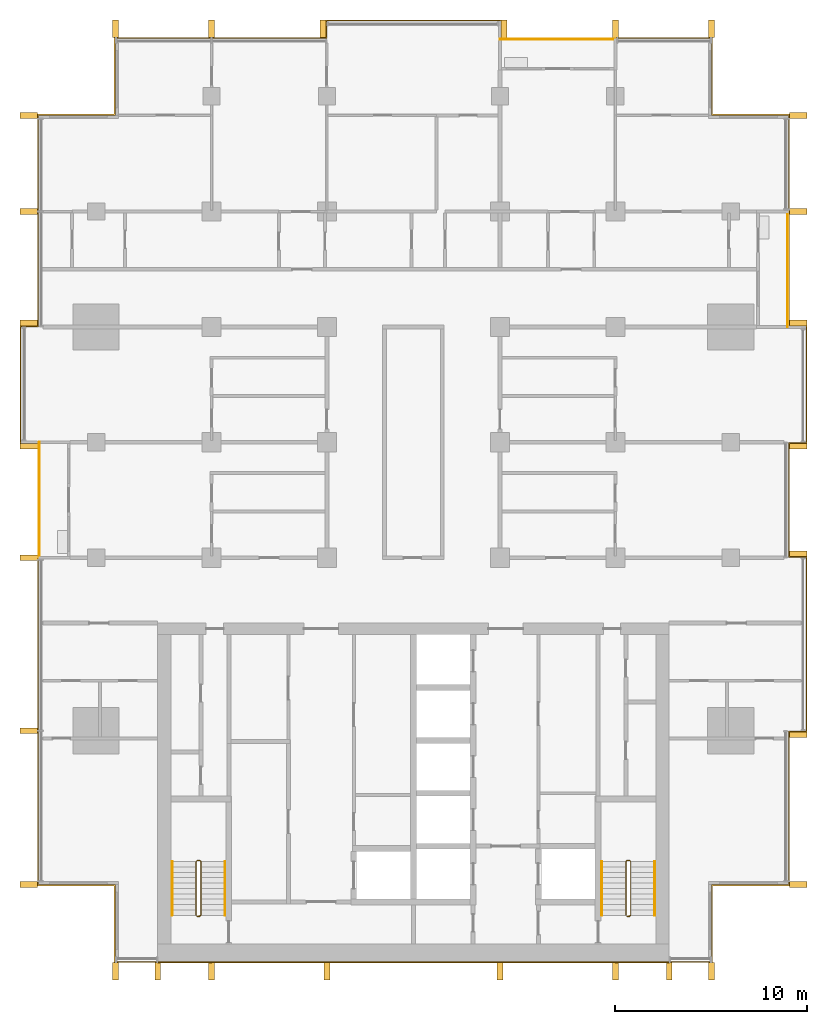
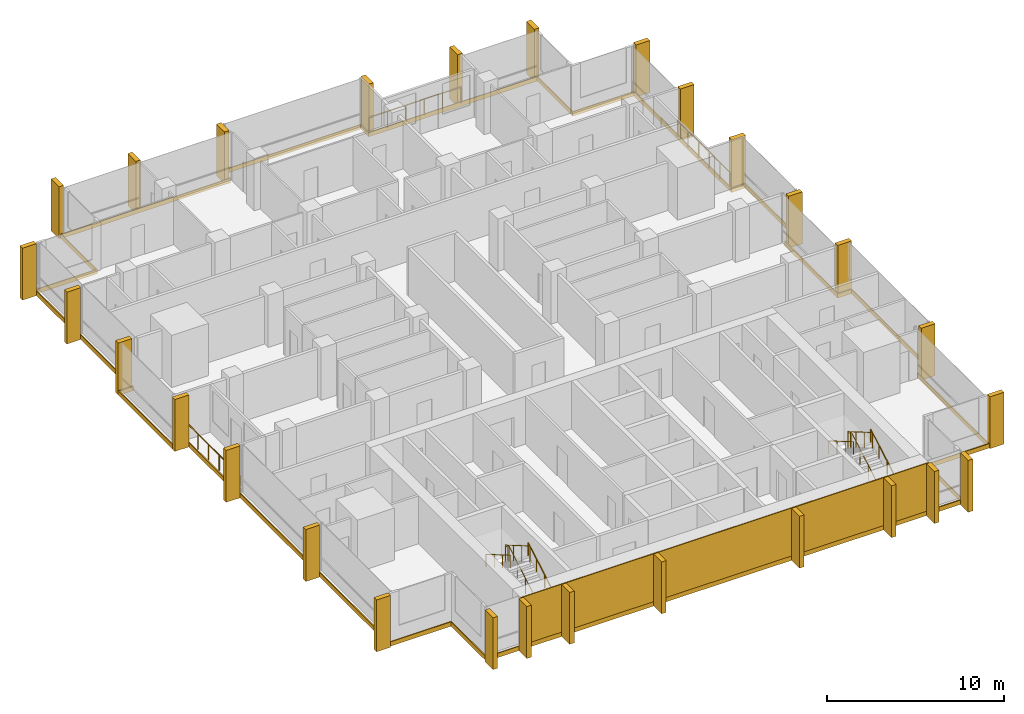
# One storey, part 16 of 16: 28 shading devices, 9 railings, 6 coverings.
"""IFC4 building model written with IfcOpenShell, lengths in metres."""

import ifcopenshell
import ifcopenshell.guid

model = None  # the IFC model being written
_history = None  # IfcOwnerHistory: only IFC2X3 demands one
_inside = {}  # id of a spatial element -> (the spatial element, [elements in it])
_under = {}  # id of a project, library or spatial element -> (it, [spatial elements below it])
_declared = {}  # id of a project -> (the project, [libraries it declares])
_typed = {}  # id of a type object -> (the type object, [elements of that type])
_made_of = {}  # id of a material, layer set ... -> (it, [elements and type objects made of it])


def new_model(schema):
    """Start an empty IFC model of exactly this schema.

    Asked for "IFC4X3", IfcOpenShell would pick the latest addendum, in which some entities
    have other attributes; the version numbers below select the first issue.
    IFC2X3 requires an IfcOwnerHistory on every rooted entity: one is made here for all.
    """
    global model, _history
    if schema == "IFC4X3":
        model = ifcopenshell.file(schema_version=(4, 3, 0, 0))
    else:
        model = ifcopenshell.file(schema=schema)
    _inside.clear()
    _under.clear()
    _declared.clear()
    _typed.clear()
    _made_of.clear()
    _history = None
    if model.schema == "IFC2X3":
        org = make("IfcOrganization", Name="unknown")
        user = make(
            "IfcPersonAndOrganization",
            ThePerson=make("IfcPerson", FamilyName="unknown"),
            TheOrganization=org,
        )
        app = make(
            "IfcApplication",
            ApplicationDeveloper=org,
            Version="unknown",
            ApplicationFullName="unknown",
            ApplicationIdentifier="unknown",
        )
        _history = make(
            "IfcOwnerHistory",
            OwningUser=user,
            OwningApplication=app,
            ChangeAction="ADDED",
            CreationDate=0,
        )
    return model


def make(cls, **values):
    """One entity of the class cls with the attributes given. An attribute that is None is left unset."""
    return model.create_entity(
        cls, **{name: value for name, value in values.items() if value is not None}
    )


def rooted(cls, **values):
    """An entity with a GlobalId (a new one), such as an element, a storey or a relation."""
    return make(cls, GlobalId=ifcopenshell.guid.new(), OwnerHistory=_history, **values)


def si_unit(unit_type, name, prefix=None):
    """IfcSIUnit, for example si_unit("LENGTHUNIT", "METRE", prefix="MILLI")."""
    return make("IfcSIUnit", UnitType=unit_type, Prefix=prefix, Name=name)


def assignment(units):
    """IfcUnitAssignment: the units of a project."""
    return None if units is None else make("IfcUnitAssignment", Units=units)


def point(xyz):
    """IfcCartesianPoint."""
    return None if xyz is None else make("IfcCartesianPoint", Coordinates=xyz)


def direction(xyz):
    """IfcDirection."""
    return None if xyz is None else make("IfcDirection", DirectionRatios=xyz)


def frame(location, z_axis=None, x_axis=None):
    """IfcAxis2Placement3D, a coordinate frame: its origin and axes. An axis left out is left unset."""
    return make(
        "IfcAxis2Placement3D",
        Location=point(location),
        Axis=direction(z_axis),
        RefDirection=direction(x_axis),
    )


def frame_2d(location, x_axis=None):
    """IfcAxis2Placement2D, a coordinate frame in the plane: its origin and x axis."""
    return make(
        "IfcAxis2Placement2D", Location=point(location), RefDirection=direction(x_axis)
    )


def origin():
    """The frame at (0, 0, 0) with its axes left unset."""
    return frame((0.0, 0.0, 0.0))


def origin_2d():
    """The frame at (0, 0) in the plane with its x axis left unset."""
    return frame_2d((0.0, 0.0))


def place(relative_to, where):
    """IfcLocalPlacement: puts the frame where relative to a parent placement (None: the world)."""
    return make(
        "IfcLocalPlacement", PlacementRelTo=relative_to, RelativePlacement=where
    )


def context(
    kind, dimensions, precision=None, world=None, true_north=None, identifier=None
):
    """IfcGeometricRepresentationContext, for example the 3D "Model" context."""
    return make(
        "IfcGeometricRepresentationContext",
        ContextIdentifier=identifier,
        ContextType=kind,
        CoordinateSpaceDimension=dimensions,
        Precision=precision,
        WorldCoordinateSystem=world,
        TrueNorth=true_north,
    )


def subcontext(parent, identifier, kind, view, scale=None):
    """IfcGeometricRepresentationSubContext, for example "Body" below "Model"."""
    return make(
        "IfcGeometricRepresentationSubContext",
        ContextIdentifier=identifier,
        ContextType=kind,
        ParentContext=parent,
        TargetScale=scale,
        TargetView=view,
    )


def project(units=None, contexts=None):
    """IfcProject with its units and contexts."""
    return rooted(
        "IfcProject",
        Name="project",
        RepresentationContexts=contexts,
        UnitsInContext=assignment(units),
    )


def spatial(cls, under=None, at=None, **own):
    """A site, building, storey or space (cls), placed at a placement, below another one or the project."""
    s = rooted(cls, ObjectPlacement=at, **own)
    if under is not None:
        _under.setdefault(under.id(), (under, []))[1].append(s)
    return s


def polyline(points):
    """IfcPolyline through the points."""
    return make("IfcPolyline", Points=[point(p) for p in points])


def profile(cls, at=None, kind="AREA", **sizes):
    """A parametric profile (cls). Its sizes go by their IFC names, for example OverallWidth=200.0."""
    return make(cls, ProfileType=kind, Position=at, **sizes)


def rectangle(**sizes):
    """IfcRectangleProfileDef."""
    return profile("IfcRectangleProfileDef", **sizes)


def circle(**sizes):
    """IfcCircleProfileDef."""
    return profile("IfcCircleProfileDef", **sizes)


def outline(outer, holes=None, kind="AREA"):
    """IfcArbitraryClosedProfileDef: a profile drawn as a closed curve; with holes, ...WithVoids."""
    if holes is None:
        return make("IfcArbitraryClosedProfileDef", ProfileType=kind, OuterCurve=outer)
    return make(
        "IfcArbitraryProfileDefWithVoids",
        ProfileType=kind,
        OuterCurve=outer,
        InnerCurves=holes,
    )


def extrude(swept, where, along, depth):
    """IfcExtrudedAreaSolid: the profile swept, set in the frame where, extruded along a direction by depth."""
    return make(
        "IfcExtrudedAreaSolid",
        SweptArea=swept,
        Position=where,
        ExtrudedDirection=direction(along),
        Depth=depth,
    )


def shape(context_of_items, identifier, shape_type, items):
    """IfcShapeRepresentation: the items that make up one representation, for example the "Body"."""
    return make(
        "IfcShapeRepresentation",
        ContextOfItems=context_of_items,
        RepresentationIdentifier=identifier,
        RepresentationType=shape_type,
        Items=items,
    )


def material(Name=None, Category=None):
    """IfcMaterial."""
    return make("IfcMaterial", Name=Name, Category=Category)


def layer(
    of_material, thickness, ventilated=None, Name=None, Category=None, Priority=None
):
    """IfcMaterialLayer: one layer of a wall or slab, of a material (None: an air gap)."""
    return make(
        "IfcMaterialLayer",
        Material=of_material,
        LayerThickness=thickness,
        IsVentilated=ventilated,
        Name=Name,
        Category=Category,
        Priority=Priority,
    )


def layer_set(layers, Name=None):
    """IfcMaterialLayerSet."""
    return make("IfcMaterialLayerSet", MaterialLayers=layers, LayerSetName=Name)


def made_of(thing, what):
    """Note that an element or type object is made of a material, layer set ...; save() writes the relation."""
    if what is not None:
        _made_of.setdefault(what.id(), (what, []))[1].append(thing)
    return thing


def type_object(cls, material=None, **own):
    """A type object (cls), such as IfcWallType, which elements share."""
    return made_of(rooted(cls, **own), material)


def element(
    cls,
    number,
    at=None,
    inside=None,
    cuts=None,
    type_object=None,
    material=None,
    context=None,
    identifier="Body",
    shape_type=None,
    held_by="IfcProductDefinitionShape",
    body=None,
    shapes=None,
    **own,
):
    """One element of the class cls, such as IfcWall. Its Tag is "e" and its number.

    at: its placement. inside: the storey or other place that contains it. cuts: it is an
    opening in that element (IfcRelVoidsElement). A single representation is given by context,
    identifier, shape_type and body (its items); several are given by shapes. held_by: the class
    of the entity that holds the representations. save() writes the other relations.
    """
    e = rooted(cls, Tag="e%d" % number, ObjectPlacement=at, **own)
    if body is not None:
        shapes = [shape(context, identifier, shape_type, body)]
    if shapes is not None:
        e.Representation = make(held_by, Representations=shapes)
    if inside is not None:
        _inside.setdefault(inside.id(), (inside, []))[1].append(e)
    if cuts is not None:
        rooted(
            "IfcRelVoidsElement", RelatingBuildingElement=cuts, RelatedOpeningElement=e
        )
    if type_object is not None:
        _typed.setdefault(type_object.id(), (type_object, []))[1].append(e)
    return made_of(e, material)


def aggregate(whole, parts):
    """IfcRelAggregates: a whole, such as a stair, and the parts it consists of."""
    return rooted("IfcRelAggregates", RelatingObject=whole, RelatedObjects=parts)


def save(model, path):
    """Write the relations noted so far, then the file.

    IfcRelAggregates (storeys below a building ...), IfcRelContainedInSpatialStructure (elements
    in a storey), IfcRelDefinesByType, IfcRelAssociatesMaterial and IfcRelDeclares: one each for
    every whole, place, type object, material and project.
    """
    for whole, parts in _under.values():
        aggregate(whole, parts)
    for where, things in _inside.values():
        rooted(
            "IfcRelContainedInSpatialStructure",
            RelatedElements=things,
            RelatingStructure=where,
        )
    for kind, things in _typed.values():
        rooted("IfcRelDefinesByType", RelatedObjects=things, RelatingType=kind)
    for what, things in _made_of.values():
        rooted("IfcRelAssociatesMaterial", RelatedObjects=things, RelatingMaterial=what)
    for by, libraries in _declared.values():
        rooted("IfcRelDeclares", RelatingContext=by, RelatedDefinitions=libraries)
    model.write(path)


model = new_model("IFC4")

# Units and contexts
model_context = context("Model", 3, precision=1e-05, world=origin(), true_north=direction((0.0, 1.0)))
body_context = subcontext(model_context, "Body", "Model", "MODEL_VIEW")
ifc_project = project(units=[si_unit("LENGTHUNIT", "METRE"), si_unit("AREAUNIT", "SQUARE_METRE"), si_unit("VOLUMEUNIT", "CUBIC_METRE"), si_unit("PLANEANGLEUNIT", "RADIAN"), si_unit("MASSUNIT", "GRAM", prefix="KILO")], contexts=[model_context])

# Site, building, storey
site_placement = place(None, origin())
site = spatial("IfcSite", under=ifc_project, at=site_placement, CompositionType="ELEMENT")
building_placement = place(site_placement, origin())
building = spatial("IfcBuilding", under=site, at=building_placement, Name="Finial Court Residences", CompositionType="ELEMENT")
storey_placement = place(building_placement, frame((0.0, 0.0, 178.10009765625)))
storey = spatial("IfcBuildingStorey", under=building, at=storey_placement, Name="L44", CompositionType="ELEMENT", Elevation=178.10009765625)

# Railings
ifc_material_1 = material(Name="Bronze anodised aluminium", Category="aluminium")
railing_type_1 = type_object("IfcRailingType", Name="Balcony guard 1100", PredefinedType="GUARDRAIL", material=ifc_material_1)
railing_1_placement = place(storey_placement, frame((4.5, 22.449951171875, 0.0)))
element("IfcRailing", 1, at=railing_1_placement, inside=storey, type_object=railing_type_1, Name="E-L44-BALN4-R", PredefinedType="GUARDRAIL", context=body_context, shape_type="SweptSolid", body=[
    extrude(circle(Radius=0.02392578125, at=origin_2d()), frame((0.0, 0.0, 1.076171875), z_axis=(1.0, 0.0, 0.0), x_axis=(0.0, 1.0, 0.0)), (0.0, 0.0, 1.0), 6.0),
    extrude(circle(Radius=0.02099609375, at=origin_2d()), origin(), (0.0, 0.0, 1.0), 1.052001953125),
    extrude(circle(Radius=0.02099609375, at=origin_2d()), frame((1.199951171875, 0.0, 0.0)), (0.0, 0.0, 1.0), 1.052001953125),
    extrude(circle(Radius=0.02099609375, at=origin_2d()), frame((2.39990234375, 0.0, 0.0)), (0.0, 0.0, 1.0), 1.052001953125),
    extrude(circle(Radius=0.02099609375, at=origin_2d()), frame((3.60009765625, 0.0, 0.0)), (0.0, 0.0, 1.0), 1.052001953125),
    extrude(circle(Radius=0.02099609375, at=origin_2d()), frame((4.800048828125, 0.0, 0.0)), (0.0, 0.0, 1.0), 1.052001953125),
    extrude(circle(Radius=0.02099609375, at=origin_2d()), frame((6.0, 0.0, 0.0)), (0.0, 0.0, 1.0), 1.052001953125),
])
for number, where, name in (
    (2, (19.449951171875, 7.5, 0.0), "E-L44-BALE5-R"),
    (3, (-19.449951171875, -4.5, 0.0), "E-L44-BALW3-R"),
):
    element("IfcRailing", number, at=place(storey_placement, frame(where)), inside=storey, type_object=railing_type_1, Name=name, PredefinedType="GUARDRAIL", context=body_context, shape_type="SweptSolid", body=[
        extrude(circle(Radius=0.02392578125, at=origin_2d()), frame((0.0, 0.0, 1.076171875), z_axis=(0.0, 1.0, 0.0), x_axis=(-1.0, 0.0, 0.0)), (0.0, 0.0, 1.0), 6.0),
        extrude(circle(Radius=0.02099609375, at=origin_2d()), origin(), (0.0, 0.0, 1.0), 1.052001953125),
        extrude(circle(Radius=0.02099609375, at=origin_2d()), frame((0.0, 1.199951171875, 0.0)), (0.0, 0.0, 1.0), 1.052001953125),
        extrude(circle(Radius=0.02099609375, at=origin_2d()), frame((0.0, 2.39990234375, 0.0)), (0.0, 0.0, 1.0), 1.052001953125),
        extrude(circle(Radius=0.02099609375, at=origin_2d()), frame((0.0, 3.60009765625, 0.0)), (0.0, 0.0, 1.0), 1.052001953125),
        extrude(circle(Radius=0.02099609375, at=origin_2d()), frame((0.0, 4.800048828125, 0.0)), (0.0, 0.0, 1.0), 1.052001953125),
        extrude(circle(Radius=0.02099609375, at=origin_2d()), frame((0.0, 6.0, 0.0)), (0.0, 0.0, 1.0), 1.052001953125),
    ])

# Coverings
ifc_material_2 = material(Name="Natural limestone", Category="masonry")
ifc_layer_1 = layer(ifc_material_2, 0.06005859375)
ifc_layer_set_1 = layer_set([ifc_layer_1], Name="Limestone cladding to the blind core face 60")
covering_type_1 = type_object("IfcCoveringType", Name="Limestone cladding to the blind core face 60", PredefinedType="CLADDING", material=ifc_layer_set_1)
covering_1_placement = place(storey_placement, origin())
element("IfcCovering", 4, at=covering_1_placement, inside=storey, type_object=covering_type_1, Name="E-L44-CLAD1", PredefinedType="CLADDING", context=body_context, shape_type="SweptSolid", body=[
    extrude(outline(polyline([(-10.5, -25.56005859375), (-10.5, -25.5), (-13.300048828125, -25.5), (-13.300048828125, -25.56005859375), (-10.5, -25.56005859375)])), origin(), (0.0, 0.0, 1.0), 3.2998046875),
])
covering_2_placement = place(storey_placement, origin())
element("IfcCovering", 5, at=covering_2_placement, inside=storey, type_object=covering_type_1, Name="E-L44-CLAD2", PredefinedType="CLADDING", context=body_context, shape_type="SweptSolid", body=[
    extrude(outline(polyline([(-4.5, -25.56005859375), (-4.5, -25.5), (-10.5, -25.5), (-10.5, -25.56005859375), (-4.5, -25.56005859375)])), origin(), (0.0, 0.0, 1.0), 3.2998046875),
])
covering_3_placement = place(storey_placement, origin())
element("IfcCovering", 6, at=covering_3_placement, inside=storey, type_object=covering_type_1, Name="E-L44-CLAD3", PredefinedType="CLADDING", context=body_context, shape_type="SweptSolid", body=[
    extrude(outline(polyline([(4.5, -25.56005859375), (4.5, -25.5), (-4.5, -25.5), (-4.5, -25.56005859375), (4.5, -25.56005859375)])), origin(), (0.0, 0.0, 1.0), 3.2998046875),
])
covering_4_placement = place(storey_placement, origin())
element("IfcCovering", 7, at=covering_4_placement, inside=storey, type_object=covering_type_1, Name="E-L44-CLAD4", PredefinedType="CLADDING", context=body_context, shape_type="SweptSolid", body=[
    extrude(outline(polyline([(10.5, -25.56005859375), (10.5, -25.5), (4.5, -25.5), (4.5, -25.56005859375), (10.5, -25.56005859375)])), origin(), (0.0, 0.0, 1.0), 3.2998046875),
])
covering_5_placement = place(storey_placement, origin())
element("IfcCovering", 8, at=covering_5_placement, inside=storey, type_object=covering_type_1, Name="E-L44-CLAD5", PredefinedType="CLADDING", context=body_context, shape_type="SweptSolid", body=[
    extrude(outline(polyline([(13.300048828125, -25.56005859375), (13.300048828125, -25.5), (10.5, -25.5), (10.5, -25.56005859375), (13.300048828125, -25.56005859375)])), origin(), (0.0, 0.0, 1.0), 3.2998046875),
])

# Shading devices
shading_device_type = type_object("IfcShadingDeviceType", Name="Limestone fin 300 x 900", PredefinedType="USERDEFINED", material=ifc_material_2)
for number, where, z_axis, x_axis, name in (
    (9, (-15.5, 23.010009765625, -0.300048828125), (0.0, 0.0, 1.0), (1.0, 0.0, 0.0), "E-L44-FIN-N1"),
    (10, (-10.5, 23.010009765625, -0.300048828125), (0.0, 0.0, 1.0), (1.0, 0.0, 0.0), "E-L44-FIN-N2"),
    (11, (-4.7099609375, 23.010009765625, -0.300048828125), (0.0, 0.0, 1.0), (1.0, 0.0, 0.0), "E-L44-FIN-N3"),
    (12, (4.7099609375, 23.010009765625, -0.300048828125), (0.0, 0.0, 1.0), (1.0, 0.0, 0.0), "E-L44-FIN-N4"),
    (13, (10.5, 23.010009765625, -0.300048828125), (0.0, 0.0, 1.0), (1.0, 0.0, 0.0), "E-L44-FIN-N5"),
    (14, (15.5, 23.010009765625, -0.300048828125), (0.0, 0.0, 1.0), (1.0, 0.0, 0.0), "E-L44-FIN-N6"),
):
    element("IfcShadingDevice", number, at=place(storey_placement, frame(where, z_axis=z_axis, x_axis=x_axis)), inside=storey, type_object=shading_device_type, Name=name, ObjectType="FIN", PredefinedType="USERDEFINED", context=body_context, shape_type="SweptSolid", body=[
        extrude(rectangle(XDim=0.300048828125, YDim=0.89990234375, at=origin_2d()), origin(), (0.0, 0.0, 1.0), 3.580078125),
    ])
for number, where, z_axis, x_axis, name in (
    (15, (20.010009765625, -21.5, -0.300048828125), (0.0, 0.0, 1.0), (1.0, 0.0, 0.0), "E-L44-FIN-E7"),
    (16, (20.010009765625, -13.7099609375, -0.300048828125), (0.0, 0.0, 1.0), (1.0, 0.0, 0.0), "E-L44-FIN-E8"),
    (17, (20.010009765625, -4.2900390625, -0.300048828125), (0.0, 0.0, 1.0), (1.0, 0.0, 0.0), "E-L44-FIN-E9"),
    (18, (20.010009765625, 1.2900390625, -0.300048828125), (0.0, 0.0, 1.0), (1.0, 0.0, 0.0), "E-L44-FIN-E10"),
    (19, (20.010009765625, 7.7099609375, -0.300048828125), (0.0, 0.0, 1.0), (1.0, 0.0, 0.0), "E-L44-FIN-E11"),
    (20, (20.010009765625, 13.5, -0.300048828125), (0.0, 0.0, 1.0), (1.0, 0.0, 0.0), "E-L44-FIN-E12"),
    (21, (20.010009765625, 18.5, -0.300048828125), (0.0, 0.0, 1.0), (1.0, 0.0, 0.0), "E-L44-FIN-E13"),
):
    element("IfcShadingDevice", number, at=place(storey_placement, frame(where, z_axis=z_axis, x_axis=x_axis)), inside=storey, type_object=shading_device_type, Name=name, ObjectType="FIN", PredefinedType="USERDEFINED", context=body_context, shape_type="SweptSolid", body=[
        extrude(rectangle(XDim=0.89990234375, YDim=0.300048828125, at=origin_2d()), origin(), (0.0, 0.0, 1.0), 3.580078125),
    ])
for number, where, z_axis, x_axis, name in (
    (22, (-15.5, -26.010009765625, -0.300048828125), (0.0, 0.0, 1.0), (1.0, 0.0, 0.0), "E-L44-FIN-S14"),
    (23, (-13.300048828125, -26.010009765625, -0.300048828125), (0.0, 0.0, 1.0), (1.0, 0.0, 0.0), "E-L44-FIN-S15"),
    (24, (-10.5, -26.010009765625, -0.300048828125), (0.0, 0.0, 1.0), (1.0, 0.0, 0.0), "E-L44-FIN-S16"),
    (25, (-4.5, -26.010009765625, -0.300048828125), (0.0, 0.0, 1.0), (1.0, 0.0, 0.0), "E-L44-FIN-S17"),
    (26, (4.5, -26.010009765625, -0.300048828125), (0.0, 0.0, 1.0), (1.0, 0.0, 0.0), "E-L44-FIN-S18"),
    (27, (10.5, -26.010009765625, -0.300048828125), (0.0, 0.0, 1.0), (1.0, 0.0, 0.0), "E-L44-FIN-S19"),
    (28, (13.300048828125, -26.010009765625, -0.300048828125), (0.0, 0.0, 1.0), (1.0, 0.0, 0.0), "E-L44-FIN-S20"),
    (29, (15.5, -26.010009765625, -0.300048828125), (0.0, 0.0, 1.0), (1.0, 0.0, 0.0), "E-L44-FIN-S21"),
):
    element("IfcShadingDevice", number, at=place(storey_placement, frame(where, z_axis=z_axis, x_axis=x_axis)), inside=storey, type_object=shading_device_type, Name=name, ObjectType="FIN", PredefinedType="USERDEFINED", context=body_context, shape_type="SweptSolid", body=[
        extrude(rectangle(XDim=0.300048828125, YDim=0.89990234375, at=origin_2d()), origin(), (0.0, 0.0, 1.0), 3.580078125),
    ])
for number, where, z_axis, x_axis, name in (
    (30, (-20.010009765625, -21.5, -0.300048828125), (0.0, 0.0, 1.0), (1.0, 0.0, 0.0), "E-L44-FIN-W22"),
    (31, (-20.010009765625, -13.5, -0.300048828125), (0.0, 0.0, 1.0), (1.0, 0.0, 0.0), "E-L44-FIN-W23"),
    (32, (-20.010009765625, -4.5, -0.300048828125), (0.0, 0.0, 1.0), (1.0, 0.0, 0.0), "E-L44-FIN-W24"),
    (33, (-20.010009765625, 1.2900390625, -0.300048828125), (0.0, 0.0, 1.0), (1.0, 0.0, 0.0), "E-L44-FIN-W25"),
    (34, (-20.010009765625, 7.7099609375, -0.300048828125), (0.0, 0.0, 1.0), (1.0, 0.0, 0.0), "E-L44-FIN-W26"),
    (35, (-20.010009765625, 13.5, -0.300048828125), (0.0, 0.0, 1.0), (1.0, 0.0, 0.0), "E-L44-FIN-W27"),
    (36, (-20.010009765625, 18.5, -0.300048828125), (0.0, 0.0, 1.0), (1.0, 0.0, 0.0), "E-L44-FIN-W28"),
):
    element("IfcShadingDevice", number, at=place(storey_placement, frame(where, z_axis=z_axis, x_axis=x_axis)), inside=storey, type_object=shading_device_type, Name=name, ObjectType="FIN", PredefinedType="USERDEFINED", context=body_context, shape_type="SweptSolid", body=[
        extrude(rectangle(XDim=0.89990234375, YDim=0.300048828125, at=origin_2d()), origin(), (0.0, 0.0, 1.0), 3.580078125),
    ])

# Covering
ifc_material_3 = material(Name="Pale limestone", Category="masonry")
ifc_layer_2 = layer(ifc_material_3, 0.06005859375)
ifc_layer_set_2 = layer_set([ifc_layer_2], Name="Pale limestone slab-edge band 60")
covering_type_2 = type_object("IfcCoveringType", Name="Pale limestone slab-edge band 60", PredefinedType="CLADDING", material=ifc_layer_set_2)
covering_6_placement = place(storey_placement, frame((0.0, 0.0, -0.300048828125)))
element("IfcCovering", 37, at=covering_6_placement, inside=storey, type_object=covering_type_2, Name="E-L44-BAND1", PredefinedType="CLADDING", context=body_context, shape_type="SweptSolid", body=[
    extrude(outline(polyline([(-20.4599609375, 7.56005859375), (-19.56005859375, 7.56005859375), (-19.56005859375, 18.56005859375), (-15.56005859375, 18.56005859375), (-15.56005859375, 22.56005859375), (-4.56005859375, 22.56005859375), (-4.56005859375, 23.4599609375), (4.56005859375, 23.4599609375), (4.56005859375, 22.56005859375), (15.56005859375, 22.56005859375), (15.56005859375, 18.56005859375), (19.56005859375, 18.56005859375), (19.56005859375, 7.56005859375), (20.4599609375, 7.56005859375), (20.4599609375, 1.43994140625), (19.56005859375, 1.43994140625), (19.56005859375, -4.43994140625), (20.4599609375, -4.43994140625), (20.4599609375, -13.56005859375), (19.56005859375, -13.56005859375), (19.56005859375, -21.56005859375), (15.56005859375, -21.56005859375), (15.56005859375, -25.56005859375), (-15.56005859375, -25.56005859375), (-15.56005859375, -21.56005859375), (-19.56005859375, -21.56005859375), (-19.56005859375, 1.43994140625), (-20.4599609375, 1.43994140625), (-20.4599609375, 7.56005859375)]), holes=[polyline([(-19.5, 1.5), (-19.5, -4.5), (-19.5, -21.5), (-15.5, -21.5), (-15.5, -25.5), (15.5, -25.5), (15.5, -21.5), (19.5, -21.5), (19.5, -13.5), (20.39990234375, -13.5), (20.39990234375, -4.5), (19.5, -4.5), (19.5, 1.5), (20.39990234375, 1.5), (20.39990234375, 7.5), (19.5, 7.5), (19.5, 13.5), (19.5, 18.5), (15.5, 18.5), (15.5, 22.5), (10.5, 22.5), (4.5, 22.5), (4.5, 23.39990234375), (-4.5, 23.39990234375), (-4.5, 22.5), (-15.5, 22.5), (-15.5, 18.5), (-19.5, 18.5), (-19.5, 7.5), (-20.39990234375, 7.5), (-20.39990234375, 1.5), (-19.5, 1.5)])]), origin(), (0.0, 0.0, 1.0), 0.300048828125),
])

# Railings
ifc_material_4 = material(Name="Stainless steel railing", Category="steel")
railing_type_2 = type_object("IfcRailingType", Name="Stair guard 1100", PredefinedType="GUARDRAIL", material=ifc_material_4)
railing_2_placement = place(storey_placement, frame((-11.10009765625, -23.14990234375, 0.0)))
element("IfcRailing", 38, at=railing_2_placement, inside=storey, type_object=railing_type_2, Name="L44 ST-1 stair guard 1", PredefinedType="GUARDRAIL", context=body_context, shape_type="SweptSolid", body=[
    extrude(circle(Radius=0.02392578125, at=origin_2d()), frame((0.0, 0.0, 1.076171875), z_axis=(-1.0, 0.0, 0.0), x_axis=(0.0, -1.0, 0.0)), (0.0, 0.0, 1.0), 0.14990234375),
    extrude(circle(Radius=0.02392578125, at=origin_2d()), frame((-0.14990234375, 0.0, 1.076171875), z_axis=(0.760004195007, 0.189305074214, 0.621737253547), x_axis=(-0.241699205484, 0.970351222016, 0.0)), (0.0, 0.0, 1.0), 0.26318359375),
    extrude(circle(Radius=0.02392578125, at=origin_2d()), frame((0.050048828125, 0.0498046875, 1.23974609375), z_axis=(0.0, 0.863393664356, 0.504530851732), x_axis=(-1.0, 0.0, 0.0)), (0.0, 0.0, 1.0), 3.2431640625),
    extrude(circle(Radius=0.02392578125, at=origin_2d()), frame((0.050048828125, 2.849853515625, 2.8759765625), z_axis=(-0.707106781187, 0.707106781187, 0.0), x_axis=(-0.707106781187, -0.707106781187, 0.0)), (0.0, 0.0, 1.0), 0.07080078125),
    extrude(circle(Radius=0.02392578125, at=origin_2d()), frame((0.0, 2.89990234375, 2.8759765625), z_axis=(-1.0, 0.0, 0.0), x_axis=(0.0, -1.0, 0.0)), (0.0, 0.0, 1.0), 0.14990234375),
    extrude(circle(Radius=0.02392578125, at=origin_2d()), frame((-0.14990234375, 2.89990234375, 2.8759765625), z_axis=(-0.280456126637, -0.280456126637, 0.917980785237), x_axis=(0.707106781187, -0.707106781187, 0.0)), (0.0, 0.0, 1.0), 0.178466796875),
    extrude(circle(Radius=0.02392578125, at=origin_2d()), frame((-0.199951171875, 2.849853515625, 3.03955078125), z_axis=(0.0, -0.863393664356, 0.504530851732), x_axis=(1.0, 0.0, 0.0)), (0.0, 0.0, 1.0), 3.2431640625),
    extrude(circle(Radius=0.02099609375, at=origin_2d()), origin(), (0.0, 0.0, 1.0), 1.052001953125),
    extrude(circle(Radius=0.02099609375, at=origin_2d()), frame((-0.14990234375, 0.0, 0.0)), (0.0, 0.0, 1.0), 1.052001953125),
    extrude(circle(Radius=0.02099609375, at=origin_2d()), frame((0.050048828125, 0.0498046875, 0.16357421875)), (0.0, 0.0, 1.0), 1.052001953125),
    extrude(circle(Radius=0.02099609375, at=origin_2d()), frame((0.050048828125, 0.983154296875, 0.708984375)), (0.0, 0.0, 1.0), 1.052001953125),
    extrude(circle(Radius=0.02099609375, at=origin_2d()), frame((0.050048828125, 1.91650390625, 1.25439453125)), (0.0, 0.0, 1.0), 1.052001953125),
    extrude(circle(Radius=0.02099609375, at=origin_2d()), frame((0.050048828125, 2.849853515625, 1.7998046875)), (0.0, 0.0, 1.0), 1.052001953125),
    extrude(circle(Radius=0.02099609375, at=origin_2d()), frame((0.0, 2.89990234375, 1.7998046875)), (0.0, 0.0, 1.0), 1.052001953125),
    extrude(circle(Radius=0.02099609375, at=origin_2d()), frame((-0.14990234375, 2.89990234375, 1.7998046875)), (0.0, 0.0, 1.0), 1.052001953125),
    extrude(circle(Radius=0.02099609375, at=origin_2d()), frame((-0.199951171875, 2.849853515625, 1.963623046875)), (0.0, 0.0, 1.0), 1.052001953125),
    extrude(circle(Radius=0.02099609375, at=origin_2d()), frame((-0.199951171875, 1.91650390625, 2.509033203125)), (0.0, 0.0, 1.0), 1.052001953125),
    extrude(circle(Radius=0.02099609375, at=origin_2d()), frame((-0.199951171875, 0.983154296875, 3.054443359375)), (0.0, 0.0, 1.0), 1.052001953125),
    extrude(circle(Radius=0.02099609375, at=origin_2d()), frame((-0.199951171875, 0.0498046875, 3.599853515625)), (0.0, 0.0, 1.0), 1.052001953125),
])
railing_3_placement = place(storey_placement, frame((11.25, -23.14990234375, 0.0)))
element("IfcRailing", 39, at=railing_3_placement, inside=storey, type_object=railing_type_2, Name="L44 ST-2 stair guard 1", PredefinedType="GUARDRAIL", context=body_context, shape_type="SweptSolid", body=[
    extrude(circle(Radius=0.02392578125, at=origin_2d()), frame((0.0, 0.0, 1.076171875), z_axis=(-1.0, 0.0, 0.0), x_axis=(0.0, -1.0, 0.0)), (0.0, 0.0, 1.0), 0.14990234375),
    extrude(circle(Radius=0.02392578125, at=origin_2d()), frame((-0.14990234375, 0.0, 1.076171875), z_axis=(0.760004195007, 0.189305074214, 0.621737253547), x_axis=(-0.241699205484, 0.970351222016, 0.0)), (0.0, 0.0, 1.0), 0.26318359375),
    extrude(circle(Radius=0.02392578125, at=origin_2d()), frame((0.050048828125, 0.0498046875, 1.23974609375), z_axis=(0.0, 0.863393664356, 0.504530851732), x_axis=(-1.0, 0.0, 0.0)), (0.0, 0.0, 1.0), 3.2431640625),
    extrude(circle(Radius=0.02392578125, at=origin_2d()), frame((0.050048828125, 2.849853515625, 2.8759765625), z_axis=(-0.707106781187, 0.707106781187, 0.0), x_axis=(-0.707106781187, -0.707106781187, 0.0)), (0.0, 0.0, 1.0), 0.07080078125),
    extrude(circle(Radius=0.02392578125, at=origin_2d()), frame((0.0, 2.89990234375, 2.8759765625), z_axis=(-1.0, 0.0, 0.0), x_axis=(0.0, -1.0, 0.0)), (0.0, 0.0, 1.0), 0.14990234375),
    extrude(circle(Radius=0.02392578125, at=origin_2d()), frame((-0.14990234375, 2.89990234375, 2.8759765625), z_axis=(-0.280456126637, -0.280456126637, 0.917980785237), x_axis=(0.707106781187, -0.707106781187, 0.0)), (0.0, 0.0, 1.0), 0.178466796875),
    extrude(circle(Radius=0.02392578125, at=origin_2d()), frame((-0.199951171875, 2.849853515625, 3.03955078125), z_axis=(0.0, -0.863393664356, 0.504530851732), x_axis=(1.0, 0.0, 0.0)), (0.0, 0.0, 1.0), 3.2431640625),
    extrude(circle(Radius=0.02099609375, at=origin_2d()), origin(), (0.0, 0.0, 1.0), 1.052001953125),
    extrude(circle(Radius=0.02099609375, at=origin_2d()), frame((-0.14990234375, 0.0, 0.0)), (0.0, 0.0, 1.0), 1.052001953125),
    extrude(circle(Radius=0.02099609375, at=origin_2d()), frame((0.050048828125, 0.0498046875, 0.16357421875)), (0.0, 0.0, 1.0), 1.052001953125),
    extrude(circle(Radius=0.02099609375, at=origin_2d()), frame((0.050048828125, 0.983154296875, 0.708984375)), (0.0, 0.0, 1.0), 1.052001953125),
    extrude(circle(Radius=0.02099609375, at=origin_2d()), frame((0.050048828125, 1.91650390625, 1.25439453125)), (0.0, 0.0, 1.0), 1.052001953125),
    extrude(circle(Radius=0.02099609375, at=origin_2d()), frame((0.050048828125, 2.849853515625, 1.7998046875)), (0.0, 0.0, 1.0), 1.052001953125),
    extrude(circle(Radius=0.02099609375, at=origin_2d()), frame((0.0, 2.89990234375, 1.7998046875)), (0.0, 0.0, 1.0), 1.052001953125),
    extrude(circle(Radius=0.02099609375, at=origin_2d()), frame((-0.14990234375, 2.89990234375, 1.7998046875)), (0.0, 0.0, 1.0), 1.052001953125),
    extrude(circle(Radius=0.02099609375, at=origin_2d()), frame((-0.199951171875, 2.849853515625, 1.963623046875)), (0.0, 0.0, 1.0), 1.052001953125),
    extrude(circle(Radius=0.02099609375, at=origin_2d()), frame((-0.199951171875, 1.91650390625, 2.509033203125)), (0.0, 0.0, 1.0), 1.052001953125),
    extrude(circle(Radius=0.02099609375, at=origin_2d()), frame((-0.199951171875, 0.983154296875, 3.054443359375)), (0.0, 0.0, 1.0), 1.052001953125),
    extrude(circle(Radius=0.02099609375, at=origin_2d()), frame((-0.199951171875, 0.0498046875, 3.599853515625)), (0.0, 0.0, 1.0), 1.052001953125),
])
railing_type_3 = type_object("IfcRailingType", Name="Stair handrail 900", PredefinedType="HANDRAIL", material=ifc_material_4)
railing_4_placement = place(storey_placement, frame((-9.800048828125, -23.10009765625, 0.16357421875)))
element("IfcRailing", 40, at=railing_4_placement, inside=storey, type_object=railing_type_3, Name="L44 ST-1 stair handrail 1", PredefinedType="HANDRAIL", context=body_context, shape_type="SweptSolid", body=[
    extrude(circle(Radius=0.02392578125, at=origin_2d()), frame((0.0, 0.0, 0.8759765625), z_axis=(0.0, 0.863393664356, 0.504530851732), x_axis=(-1.0, 0.0, 0.0)), (0.0, 0.0, 1.0), 3.2431640625),
    extrude(circle(Radius=0.02099609375, at=origin_2d()), origin(), (0.0, 0.0, 1.0), 0.851806640625),
    extrude(circle(Radius=0.02099609375, at=origin_2d()), frame((0.0, 0.933349609375, 0.54541015625)), (0.0, 0.0, 1.0), 0.851806640625),
    extrude(circle(Radius=0.02099609375, at=origin_2d()), frame((0.0, 1.86669921875, 1.0908203125)), (0.0, 0.0, 1.0), 0.851806640625),
    extrude(circle(Radius=0.02099609375, at=origin_2d()), frame((0.0, 2.800048828125, 1.63623046875)), (0.0, 0.0, 1.0), 0.851806640625),
])
railing_5_placement = place(storey_placement, frame((-12.550048828125, -20.300048828125, 1.963623046875)))
element("IfcRailing", 41, at=railing_5_placement, inside=storey, type_object=railing_type_3, Name="L44 ST-1 stair handrail 2", PredefinedType="HANDRAIL", context=body_context, shape_type="SweptSolid", body=[
    extrude(circle(Radius=0.02392578125, at=origin_2d()), frame((0.0, 0.0, 0.8759765625), z_axis=(0.0, -0.863393664356, 0.504530851732), x_axis=(1.0, 0.0, 0.0)), (0.0, 0.0, 1.0), 3.2431640625),
    extrude(circle(Radius=0.02099609375, at=origin_2d()), origin(), (0.0, 0.0, 1.0), 0.851806640625),
    extrude(circle(Radius=0.02099609375, at=origin_2d()), frame((0.0, -0.933349609375, 0.54541015625)), (0.0, 0.0, 1.0), 0.851806640625),
    extrude(circle(Radius=0.02099609375, at=origin_2d()), frame((0.0, -1.86669921875, 1.0908203125)), (0.0, 0.0, 1.0), 0.851806640625),
    extrude(circle(Radius=0.02099609375, at=origin_2d()), frame((0.0, -2.800048828125, 1.63623046875)), (0.0, 0.0, 1.0), 0.851806640625),
])
railing_6_placement = place(storey_placement, frame((12.550048828125, -23.10009765625, 0.16357421875)))
element("IfcRailing", 42, at=railing_6_placement, inside=storey, type_object=railing_type_3, Name="L44 ST-2 stair handrail 1", PredefinedType="HANDRAIL", context=body_context, shape_type="SweptSolid", body=[
    extrude(circle(Radius=0.02392578125, at=origin_2d()), frame((0.0, 0.0, 0.8759765625), z_axis=(0.0, 0.863393664356, 0.504530851732), x_axis=(-1.0, 0.0, 0.0)), (0.0, 0.0, 1.0), 3.2431640625),
    extrude(circle(Radius=0.02099609375, at=origin_2d()), origin(), (0.0, 0.0, 1.0), 0.851806640625),
    extrude(circle(Radius=0.02099609375, at=origin_2d()), frame((0.0, 0.933349609375, 0.54541015625)), (0.0, 0.0, 1.0), 0.851806640625),
    extrude(circle(Radius=0.02099609375, at=origin_2d()), frame((0.0, 1.86669921875, 1.0908203125)), (0.0, 0.0, 1.0), 0.851806640625),
    extrude(circle(Radius=0.02099609375, at=origin_2d()), frame((0.0, 2.800048828125, 1.63623046875)), (0.0, 0.0, 1.0), 0.851806640625),
])
railing_7_placement = place(storey_placement, frame((9.800048828125, -20.300048828125, 1.963623046875)))
element("IfcRailing", 43, at=railing_7_placement, inside=storey, type_object=railing_type_3, Name="L44 ST-2 stair handrail 2", PredefinedType="HANDRAIL", context=body_context, shape_type="SweptSolid", body=[
    extrude(circle(Radius=0.02392578125, at=origin_2d()), frame((0.0, 0.0, 0.8759765625), z_axis=(0.0, -0.863393664356, 0.504530851732), x_axis=(1.0, 0.0, 0.0)), (0.0, 0.0, 1.0), 3.2431640625),
    extrude(circle(Radius=0.02099609375, at=origin_2d()), origin(), (0.0, 0.0, 1.0), 0.851806640625),
    extrude(circle(Radius=0.02099609375, at=origin_2d()), frame((0.0, -0.933349609375, 0.54541015625)), (0.0, 0.0, 1.0), 0.851806640625),
    extrude(circle(Radius=0.02099609375, at=origin_2d()), frame((0.0, -1.86669921875, 1.0908203125)), (0.0, 0.0, 1.0), 0.851806640625),
    extrude(circle(Radius=0.02099609375, at=origin_2d()), frame((0.0, -2.800048828125, 1.63623046875)), (0.0, 0.0, 1.0), 0.851806640625),
])

save(model, "model.ifc")
